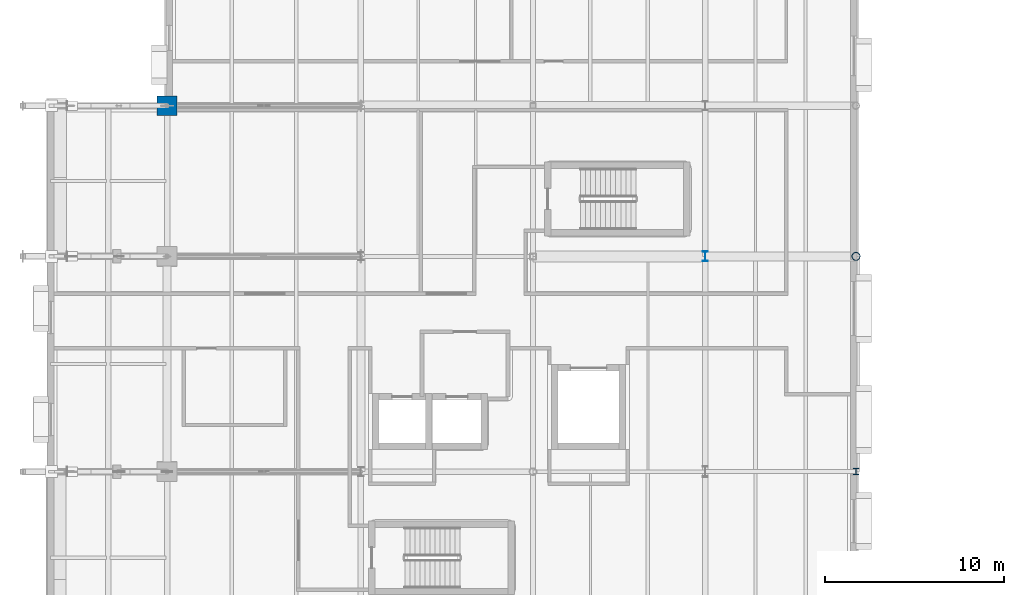
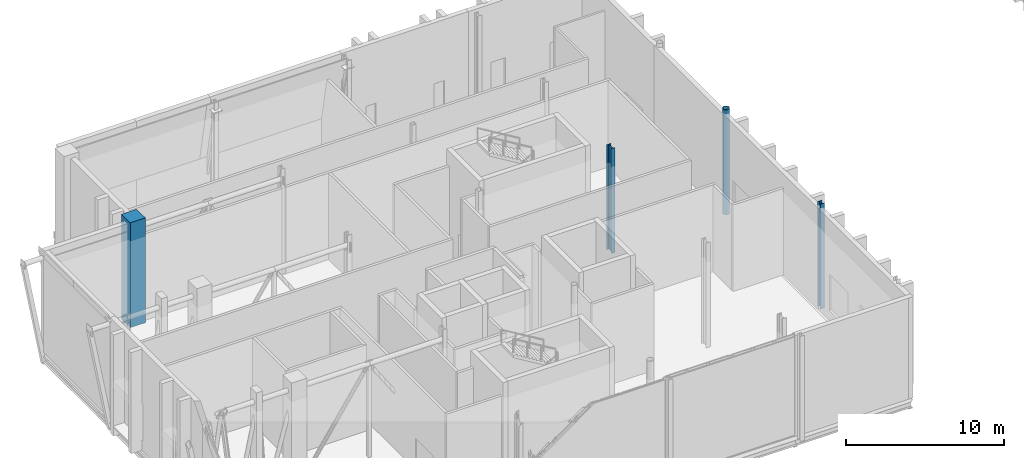
# One storey, part 2 of 79: 4 columns.
"""IFC4 building model written with IfcOpenShell, lengths in metres."""

from ifc_helpers import new_model, si_unit, direction, frame, origin, origin_2d, place, context, subcontext, project, spatial, rectangle, hollow_circle, i_section, extrude, material, material_profile, profile_set, type_object, element, save


model = new_model("IFC4")

# Units and contexts
model_context = context("Model", 3, precision=1e-05, world=origin(), true_north=direction((0.0, 1.0)))
body_context = subcontext(model_context, "Body", "Model", "MODEL_VIEW")
ifc_project = project(units=[si_unit("LENGTHUNIT", "METRE"), si_unit("AREAUNIT", "SQUARE_METRE"), si_unit("VOLUMEUNIT", "CUBIC_METRE"), si_unit("PLANEANGLEUNIT", "RADIAN"), si_unit("MASSUNIT", "GRAM", prefix="KILO")], contexts=[model_context])

# Site, building, storey
site_placement = place(None, origin())
site = spatial("IfcSite", under=ifc_project, at=site_placement, CompositionType="ELEMENT")
building_placement = place(site_placement, origin())
building = spatial("IfcBuilding", under=site, at=building_placement, Name="Zereglee Splitstone Museum", CompositionType="ELEMENT")
storey_placement = place(building_placement, frame((0.0, 0.0, 9.0)))
storey = spatial("IfcBuildingStorey", under=building, at=storey_placement, Name="L02", CompositionType="ELEMENT", Elevation=9.0)

# Columns
ifc_material_1 = material(Name="Concrete C45/55", Category="concrete")
ifc_material_profile_1 = material_profile(ifc_material_1, rectangle(XDim=1.10009765625, YDim=1.10009765625, at=origin_2d()), Name="RC 1100x1100")
ifc_profile_set_1 = profile_set([ifc_material_profile_1], Name="Concrete C45/55")
column_type_1 = type_object("IfcColumnType", Name="C-01", PredefinedType="COLUMN", material=ifc_profile_set_1)
column_1_placement = place(storey_placement, frame((9.60009765625, 30.0, 0.0), z_axis=(0.0, 0.0, 1.0), x_axis=(1.0, 0.0, 0.0)))
element("IfcColumn", 1, at=column_1_placement, inside=storey, type_object=column_type_1, Name="Column 2/D L02", PredefinedType="COLUMN", context=body_context, shape_type="SweptSolid", body=[
    extrude(rectangle(XDim=1.10009765625, YDim=1.10009765625, at=origin_2d()), origin(), (0.0, 0.0, 1.0), 8.10009765625),
])
ifc_material_2 = material(Name="Steel S355J2H", Category="steel")
ifc_material_profile_2 = material_profile(ifc_material_2, hollow_circle(Radius=0.228515625, WallThickness=0.02001953125, at=origin_2d()), Name="CHS 457.0x20")
ifc_profile_set_2 = profile_set([ifc_material_profile_2], Name="Steel S355J2H")
column_type_2 = type_object("IfcColumnType", Name="C-17", PredefinedType="COLUMN", material=ifc_profile_set_2)
column_2_placement = place(storey_placement, frame((48.0, 21.60009765625, 0.0), z_axis=(0.0, 0.0, 1.0), x_axis=(1.0, 0.0, 0.0)))
element("IfcColumn", 2, at=column_2_placement, inside=storey, type_object=column_type_2, Name="Column 7/C L02", PredefinedType="COLUMN", context=body_context, shape_type="SweptSolid", body=[
    extrude(hollow_circle(Radius=0.228515625, WallThickness=0.02001953125, at=origin_2d()), origin(), (0.0, 0.0, 1.0), 8.10009765625),
])
ifc_material_3 = material(Name="Steel S355J2", Category="steel")
ifc_material_profile_3 = material_profile(ifc_material_3, i_section(OverallWidth=0.300048828125, OverallDepth=0.360107421875, WebThickness=0.012451171875, FlangeThickness=0.0224609375, FilletRadius=0.027099609375, at=origin_2d()), Name="HE 360 B")
ifc_profile_set_3 = profile_set([ifc_material_profile_3], Name="Steel S355J2")
column_type_3 = type_object("IfcColumnType", Name="C-16", PredefinedType="COLUMN", material=ifc_profile_set_3)
column_3_placement = place(storey_placement, frame((48.0, 9.60009765625, 0.0), z_axis=(0.0, 0.0, 1.0), x_axis=(1.0, 0.0, 0.0)))
element("IfcColumn", 3, at=column_3_placement, inside=storey, type_object=column_type_3, Name="Column 7/B L02", PredefinedType="COLUMN", context=body_context, shape_type="SweptSolid", body=[
    extrude(i_section(OverallWidth=0.300048828125, OverallDepth=0.360107421875, WebThickness=0.012451171875, FlangeThickness=0.0224609375, FilletRadius=0.027099609375, at=origin_2d()), origin(), (0.0, 0.0, 1.0), 8.10009765625),
])
ifc_material_profile_4 = material_profile(ifc_material_3, i_section(OverallWidth=0.300048828125, OverallDepth=0.550048828125, WebThickness=0.014892578125, FlangeThickness=0.029052734375, FilletRadius=0.027099609375, at=origin_2d()), Name="HE 550 B")
ifc_profile_set_4 = profile_set([ifc_material_profile_4], Name="Steel S355J2")
column_type_4 = type_object("IfcColumnType", Name="C-12", PredefinedType="COLUMN", material=ifc_profile_set_4)
column_4_placement = place(storey_placement, frame((39.60009765625, 21.60009765625, 0.0), z_axis=(0.0, 0.0, 1.0), x_axis=(1.0, 0.0, 0.0)))
element("IfcColumn", 4, at=column_4_placement, inside=storey, type_object=column_type_4, Name="Column 6/C L02", PredefinedType="COLUMN", context=body_context, shape_type="SweptSolid", body=[
    extrude(i_section(OverallWidth=0.300048828125, OverallDepth=0.550048828125, WebThickness=0.014892578125, FlangeThickness=0.029052734375, FilletRadius=0.027099609375, at=origin_2d()), origin(), (0.0, 0.0, 1.0), 8.10009765625),
])

save(model, "model.ifc")
